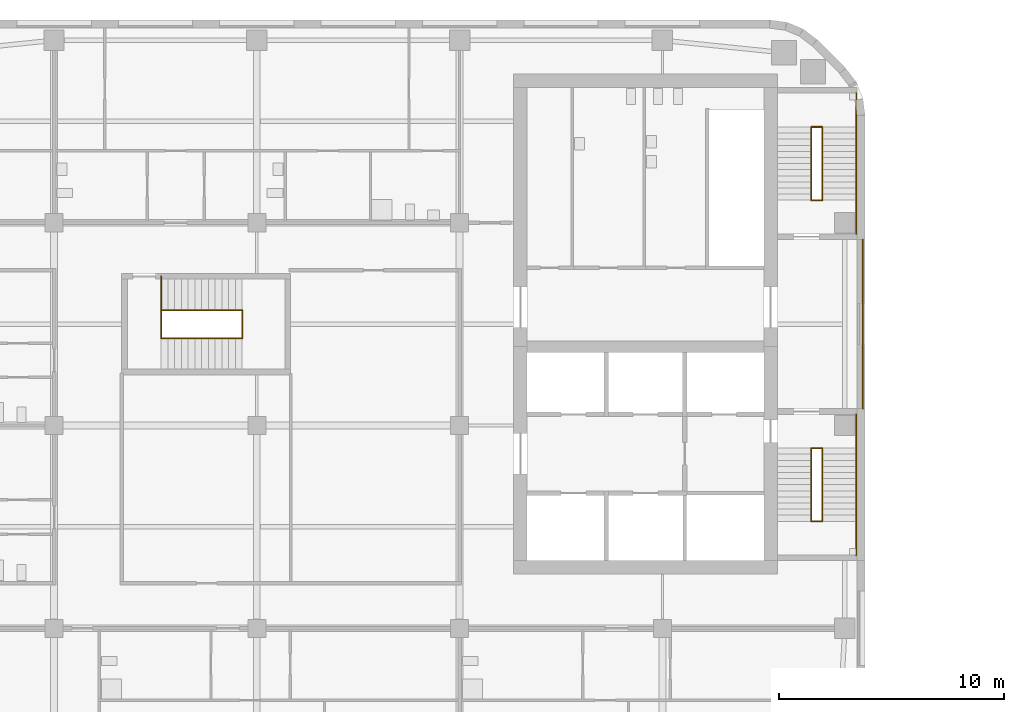
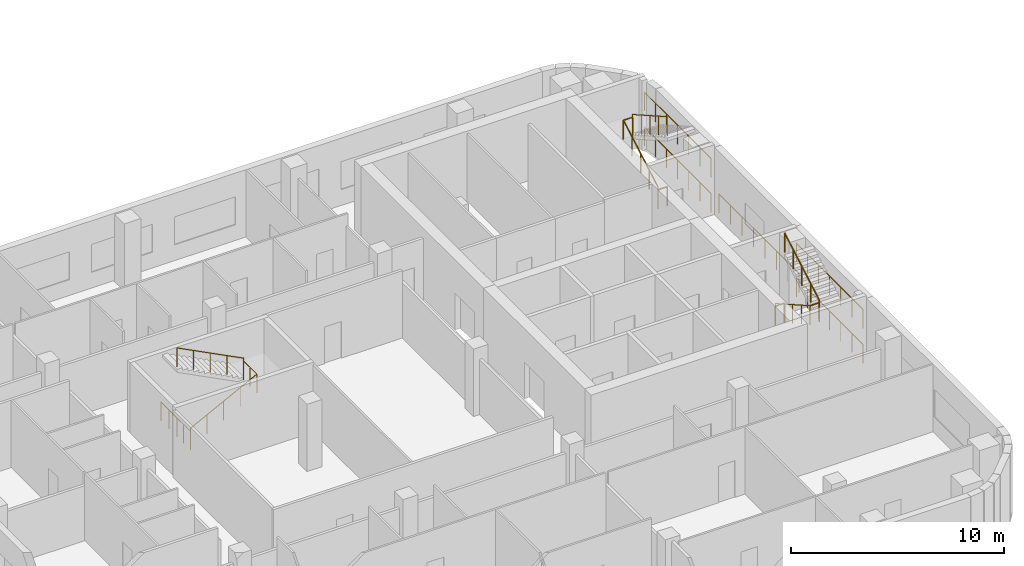
# One storey, part 14 of 16: 18 railings.
"""IFC4 building model written with IfcOpenShell, lengths in metres."""

from ifc_helpers import new_model, si_unit, direction, frame, origin, origin_2d, place, context, subcontext, project, spatial, circle, extrude, material, type_object, element, save


model = new_model("IFC4")

# Units and contexts
model_context = context("Model", 3, precision=1e-05, world=origin(), true_north=direction((0.0, 1.0)))
body_context = subcontext(model_context, "Body", "Model", "MODEL_VIEW")
ifc_project = project(units=[si_unit("LENGTHUNIT", "METRE"), si_unit("AREAUNIT", "SQUARE_METRE"), si_unit("VOLUMEUNIT", "CUBIC_METRE"), si_unit("PLANEANGLEUNIT", "RADIAN"), si_unit("MASSUNIT", "GRAM", prefix="KILO")], contexts=[model_context])

# Site, building, storey
site_placement = place(None, origin())
site = spatial("IfcSite", under=ifc_project, at=site_placement, CompositionType="ELEMENT")
building_placement = place(site_placement, origin())
building = spatial("IfcBuilding", under=site, at=building_placement, Name="Cinnabar Reach Civic Tower", CompositionType="ELEMENT")
storey_placement = place(building_placement, frame((0.0, 0.0, 38.0)))
storey = spatial("IfcBuildingStorey", under=building, at=storey_placement, Name="L08", CompositionType="ELEMENT", Elevation=38.0)

# Railings
ifc_material = material(Name="Stainless steel", Category="steel")
railing_type = type_object("IfcRailingType", Name="T2 Stair guard 1100", PredefinedType="GUARDRAIL", material=ifc_material)
railing_1_placement = place(storey_placement, frame((-27.1, 27.75, 0.0)))
element("IfcRailing", 1, at=railing_1_placement, inside=storey, type_object=railing_type, Name="Corridor end guard", PredefinedType="GUARDRAIL", context=body_context, shape_type="SweptSolid", body=[
    extrude(circle(Radius=0.024, at=origin_2d()), frame((0.0, 0.0, 1.076), z_axis=(0.0, 1.0, 0.0), x_axis=(-1.0, 0.0, 0.0)), (0.0, 0.0, 1.0), 7.5),
    extrude(circle(Radius=0.021, at=origin_2d()), origin(), (0.0, 0.0, 1.0), 1.052),
    extrude(circle(Radius=0.021, at=origin_2d()), frame((0.0, 1.0714, 0.0)), (0.0, 0.0, 1.0), 1.052),
    extrude(circle(Radius=0.021, at=origin_2d()), frame((0.0, 2.1429, 0.0)), (0.0, 0.0, 1.0), 1.052),
    extrude(circle(Radius=0.021, at=origin_2d()), frame((0.0, 3.2143, 0.0)), (0.0, 0.0, 1.0), 1.052),
    extrude(circle(Radius=0.021, at=origin_2d()), frame((0.0, 4.2857, 0.0)), (0.0, 0.0, 1.0), 1.052),
    extrude(circle(Radius=0.021, at=origin_2d()), frame((0.0, 5.3571, 0.0)), (0.0, 0.0, 1.0), 1.052),
    extrude(circle(Radius=0.021, at=origin_2d()), frame((0.0, 6.4286, 0.0)), (0.0, 0.0, 1.0), 1.052),
    extrude(circle(Radius=0.021, at=origin_2d()), frame((0.0, 7.5, 0.0)), (0.0, 0.0, 1.0), 1.052),
])
for number, where, name in (
    (2, (-27.4, 21.25, 0.0), "Stair guard 1"),
    (3, (-27.4, 21.25, 2.0), "Stair guard 1"),
):
    element("IfcRailing", number, at=place(storey_placement, frame(where)), inside=storey, type_object=railing_type, Name=name, PredefinedType="GUARDRAIL", context=body_context, shape_type="SweptSolid", body=[
        extrude(circle(Radius=0.024, at=origin_2d()), frame((0.0, 0.0, 1.076), z_axis=(0.0, 1.0, 0.0), x_axis=(-1.0, 0.0, 0.0)), (0.0, 0.0, 1.0), 6.25),
        extrude(circle(Radius=0.021, at=origin_2d()), origin(), (0.0, 0.0, 1.0), 1.052),
        extrude(circle(Radius=0.021, at=origin_2d()), frame((0.0, 1.0417, 0.0)), (0.0, 0.0, 1.0), 1.052),
        extrude(circle(Radius=0.021, at=origin_2d()), frame((0.0, 2.0833, 0.0)), (0.0, 0.0, 1.0), 1.052),
        extrude(circle(Radius=0.021, at=origin_2d()), frame((0.0, 3.125, 0.0)), (0.0, 0.0, 1.0), 1.052),
        extrude(circle(Radius=0.021, at=origin_2d()), frame((0.0, 4.1667, 0.0)), (0.0, 0.0, 1.0), 1.052),
        extrude(circle(Radius=0.021, at=origin_2d()), frame((0.0, 5.2083, 0.0)), (0.0, 0.0, 1.0), 1.052),
        extrude(circle(Radius=0.021, at=origin_2d()), frame((0.0, 6.25, 0.0)), (0.0, 0.0, 1.0), 1.052),
    ])
for number, where, name in (
    (4, (-29.4, 26.0, 0.0), "Stair guard 1"),
    (5, (-29.4, 22.75, 2.0), "Stair guard 1"),
):
    element("IfcRailing", number, at=place(storey_placement, frame(where)), inside=storey, type_object=railing_type, Name=name, PredefinedType="GUARDRAIL", context=body_context, shape_type="SweptSolid", body=[
        extrude(circle(Radius=0.024, at=origin_2d()), frame((0.0, 0.0, 1.076), z_axis=(1.0, 0.0, 0.0), x_axis=(0.0, 1.0, 0.0)), (0.0, 0.0, 1.0), 0.5),
        extrude(circle(Radius=0.021, at=origin_2d()), origin(), (0.0, 0.0, 1.0), 1.052),
        extrude(circle(Radius=0.021, at=origin_2d()), frame((0.5, 0.0, 0.0)), (0.0, 0.0, 1.0), 1.052),
    ])
railing_2_placement = place(storey_placement, frame((-29.4, 26.0, 0.1538)))
element("IfcRailing", 6, at=railing_2_placement, inside=storey, type_object=railing_type, Name="Stair guard 1", PredefinedType="GUARDRAIL", context=body_context, shape_type="SweptSolid", body=[
    extrude(circle(Radius=0.024, at=origin_2d()), frame((0.0, 0.0, 1.076), z_axis=(0.0, -0.869501474428, 0.493930345258), x_axis=(1.0, 0.0, 0.0)), (0.0, 0.0, 1.0), 3.7378),
    extrude(circle(Radius=0.021, at=origin_2d()), origin(), (0.0, 0.0, 1.0), 1.052),
    extrude(circle(Radius=0.021, at=origin_2d()), frame((0.0, -0.8125, 0.4616)), (0.0, 0.0, 1.0), 1.052),
    extrude(circle(Radius=0.021, at=origin_2d()), frame((0.0, -1.625, 0.9231)), (0.0, 0.0, 1.0), 1.052),
    extrude(circle(Radius=0.021, at=origin_2d()), frame((0.0, -2.4375, 1.3847)), (0.0, 0.0, 1.0), 1.052),
    extrude(circle(Radius=0.021, at=origin_2d()), frame((0.0, -3.25, 1.8462)), (0.0, 0.0, 1.0), 1.052),
])
railing_3_placement = place(storey_placement, frame((-28.9, 22.75, 2.1538)))
element("IfcRailing", 7, at=railing_3_placement, inside=storey, type_object=railing_type, Name="Stair guard 1", PredefinedType="GUARDRAIL", context=body_context, shape_type="SweptSolid", body=[
    extrude(circle(Radius=0.024, at=origin_2d()), frame((0.0, 0.0, 1.076), z_axis=(0.0, 0.869501474428, 0.493930345258), x_axis=(-1.0, 0.0, 0.0)), (0.0, 0.0, 1.0), 3.7378),
    extrude(circle(Radius=0.021, at=origin_2d()), origin(), (0.0, 0.0, 1.0), 1.052),
    extrude(circle(Radius=0.021, at=origin_2d()), frame((0.0, 0.8125, 0.4616)), (0.0, 0.0, 1.0), 1.052),
    extrude(circle(Radius=0.021, at=origin_2d()), frame((0.0, 1.625, 0.9231)), (0.0, 0.0, 1.0), 1.052),
    extrude(circle(Radius=0.021, at=origin_2d()), frame((0.0, 2.4375, 1.3847)), (0.0, 0.0, 1.0), 1.052),
    extrude(circle(Radius=0.021, at=origin_2d()), frame((0.0, 3.25, 1.8462)), (0.0, 0.0, 1.0), 1.052),
])
for number, where, name in (
    (8, (-27.4, 35.5, 0.0), "Stair guard 2"),
    (9, (-27.4, 35.5, 2.0), "Stair guard 2"),
):
    element("IfcRailing", number, at=place(storey_placement, frame(where)), inside=storey, type_object=railing_type, Name=name, PredefinedType="GUARDRAIL", context=body_context, shape_type="SweptSolid", body=[
        extrude(circle(Radius=0.024, at=origin_2d()), frame((0.0, 0.0, 1.076), z_axis=(0.0, 1.0, 0.0), x_axis=(-1.0, 0.0, 0.0)), (0.0, 0.0, 1.0), 6.25),
        extrude(circle(Radius=0.021, at=origin_2d()), origin(), (0.0, 0.0, 1.0), 1.052),
        extrude(circle(Radius=0.021, at=origin_2d()), frame((0.0, 1.0417, 0.0)), (0.0, 0.0, 1.0), 1.052),
        extrude(circle(Radius=0.021, at=origin_2d()), frame((0.0, 2.0833, 0.0)), (0.0, 0.0, 1.0), 1.052),
        extrude(circle(Radius=0.021, at=origin_2d()), frame((0.0, 3.125, 0.0)), (0.0, 0.0, 1.0), 1.052),
        extrude(circle(Radius=0.021, at=origin_2d()), frame((0.0, 4.1667, 0.0)), (0.0, 0.0, 1.0), 1.052),
        extrude(circle(Radius=0.021, at=origin_2d()), frame((0.0, 5.2083, 0.0)), (0.0, 0.0, 1.0), 1.052),
        extrude(circle(Radius=0.021, at=origin_2d()), frame((0.0, 6.25, 0.0)), (0.0, 0.0, 1.0), 1.052),
    ])
for number, where, name in (
    (10, (-29.4, 37.0, 0.0), "Stair guard 2"),
    (11, (-29.4, 40.25, 2.0), "Stair guard 2"),
):
    element("IfcRailing", number, at=place(storey_placement, frame(where)), inside=storey, type_object=railing_type, Name=name, PredefinedType="GUARDRAIL", context=body_context, shape_type="SweptSolid", body=[
        extrude(circle(Radius=0.024, at=origin_2d()), frame((0.0, 0.0, 1.076), z_axis=(1.0, 0.0, 0.0), x_axis=(0.0, 1.0, 0.0)), (0.0, 0.0, 1.0), 0.5),
        extrude(circle(Radius=0.021, at=origin_2d()), origin(), (0.0, 0.0, 1.0), 1.052),
        extrude(circle(Radius=0.021, at=origin_2d()), frame((0.5, 0.0, 0.0)), (0.0, 0.0, 1.0), 1.052),
    ])
railing_4_placement = place(storey_placement, frame((-29.4, 37.0, 0.1538)))
element("IfcRailing", 12, at=railing_4_placement, inside=storey, type_object=railing_type, Name="Stair guard 2", PredefinedType="GUARDRAIL", context=body_context, shape_type="SweptSolid", body=[
    extrude(circle(Radius=0.024, at=origin_2d()), frame((0.0, 0.0, 1.076), z_axis=(0.0, 0.869501474428, 0.493930345258), x_axis=(-1.0, 0.0, 0.0)), (0.0, 0.0, 1.0), 3.7378),
    extrude(circle(Radius=0.021, at=origin_2d()), origin(), (0.0, 0.0, 1.0), 1.052),
    extrude(circle(Radius=0.021, at=origin_2d()), frame((0.0, 0.8125, 0.4616)), (0.0, 0.0, 1.0), 1.052),
    extrude(circle(Radius=0.021, at=origin_2d()), frame((0.0, 1.625, 0.9231)), (0.0, 0.0, 1.0), 1.052),
    extrude(circle(Radius=0.021, at=origin_2d()), frame((0.0, 2.4375, 1.3847)), (0.0, 0.0, 1.0), 1.052),
    extrude(circle(Radius=0.021, at=origin_2d()), frame((0.0, 3.25, 1.8462)), (0.0, 0.0, 1.0), 1.052),
])
railing_5_placement = place(storey_placement, frame((-28.9, 40.25, 2.1538)))
element("IfcRailing", 13, at=railing_5_placement, inside=storey, type_object=railing_type, Name="Stair guard 2", PredefinedType="GUARDRAIL", context=body_context, shape_type="SweptSolid", body=[
    extrude(circle(Radius=0.024, at=origin_2d()), frame((0.0, 0.0, 1.076), z_axis=(0.0, -0.869501474428, 0.493930345258), x_axis=(1.0, 0.0, 0.0)), (0.0, 0.0, 1.0), 3.7378),
    extrude(circle(Radius=0.021, at=origin_2d()), origin(), (0.0, 0.0, 1.0), 1.052),
    extrude(circle(Radius=0.021, at=origin_2d()), frame((0.0, -0.8125, 0.4616)), (0.0, 0.0, 1.0), 1.052),
    extrude(circle(Radius=0.021, at=origin_2d()), frame((0.0, -1.625, 0.9231)), (0.0, 0.0, 1.0), 1.052),
    extrude(circle(Radius=0.021, at=origin_2d()), frame((0.0, -2.4375, 1.3847)), (0.0, 0.0, 1.0), 1.052),
    extrude(circle(Radius=0.021, at=origin_2d()), frame((0.0, -3.25, 1.8462)), (0.0, 0.0, 1.0), 1.052),
])
railing_6_placement = place(storey_placement, frame((-58.25, 30.875, 0.0)))
element("IfcRailing", 14, at=railing_6_placement, inside=storey, type_object=railing_type, Name="Stair guard 3", PredefinedType="GUARDRAIL", context=body_context, shape_type="SweptSolid", body=[
    extrude(circle(Radius=0.024, at=origin_2d()), frame((0.0, 0.0, 1.076), z_axis=(0.0, 1.0, 0.0), x_axis=(-1.0, 0.0, 0.0)), (0.0, 0.0, 1.0), 1.25),
    extrude(circle(Radius=0.021, at=origin_2d()), origin(), (0.0, 0.0, 1.0), 1.052),
    extrude(circle(Radius=0.021, at=origin_2d()), frame((0.0, 0.625, 0.0)), (0.0, 0.0, 1.0), 1.052),
    extrude(circle(Radius=0.021, at=origin_2d()), frame((0.0, 1.25, 0.0)), (0.0, 0.0, 1.0), 1.052),
])
railing_7_placement = place(storey_placement, frame((-58.25, 32.125, 0.0)))
element("IfcRailing", 15, at=railing_7_placement, inside=storey, type_object=railing_type, Name="Stair guard 3", PredefinedType="GUARDRAIL", context=body_context, shape_type="SweptSolid", body=[
    extrude(circle(Radius=0.024, at=origin_2d()), frame((0.0, 0.0, 1.076), z_axis=(0.0, 1.0, 0.0), x_axis=(-1.0, 0.0, 0.0)), (0.0, 0.0, 1.0), 1.5),
    extrude(circle(Radius=0.021, at=origin_2d()), origin(), (0.0, 0.0, 1.0), 1.052),
    extrude(circle(Radius=0.021, at=origin_2d()), frame((0.0, 0.75, 0.0)), (0.0, 0.0, 1.0), 1.052),
    extrude(circle(Radius=0.021, at=origin_2d()), frame((0.0, 1.5, 0.0)), (0.0, 0.0, 1.0), 1.052),
])
railing_8_placement = place(storey_placement, frame((-54.65, 30.875, 2.0)))
element("IfcRailing", 16, at=railing_8_placement, inside=storey, type_object=railing_type, Name="Stair guard 3", PredefinedType="GUARDRAIL", context=body_context, shape_type="SweptSolid", body=[
    extrude(circle(Radius=0.024, at=origin_2d()), frame((0.0, 0.0, 1.076), z_axis=(0.0, 1.0, 0.0), x_axis=(-1.0, 0.0, 0.0)), (0.0, 0.0, 1.0), 1.25),
    extrude(circle(Radius=0.021, at=origin_2d()), origin(), (0.0, 0.0, 1.0), 1.052),
    extrude(circle(Radius=0.021, at=origin_2d()), frame((0.0, 0.625, 0.0)), (0.0, 0.0, 1.0), 1.052),
    extrude(circle(Radius=0.021, at=origin_2d()), frame((0.0, 1.25, 0.0)), (0.0, 0.0, 1.0), 1.052),
])
railing_9_placement = place(storey_placement, frame((-58.25, 30.875, 0.1538)))
element("IfcRailing", 17, at=railing_9_placement, inside=storey, type_object=railing_type, Name="Stair guard 3", PredefinedType="GUARDRAIL", context=body_context, shape_type="SweptSolid", body=[
    extrude(circle(Radius=0.024, at=origin_2d()), frame((0.0, 0.0, 1.076), z_axis=(0.889812830738, 0.0, 0.45632568003), x_axis=(0.0, 1.0, 0.0)), (0.0, 0.0, 1.0), 4.0458),
    extrude(circle(Radius=0.021, at=origin_2d()), origin(), (0.0, 0.0, 1.0), 1.052),
    extrude(circle(Radius=0.021, at=origin_2d()), frame((0.9, 0.0, 0.4616)), (0.0, 0.0, 1.0), 1.052),
    extrude(circle(Radius=0.021, at=origin_2d()), frame((1.8, 0.0, 0.9231)), (0.0, 0.0, 1.0), 1.052),
    extrude(circle(Radius=0.021, at=origin_2d()), frame((2.7, 0.0, 1.3847)), (0.0, 0.0, 1.0), 1.052),
    extrude(circle(Radius=0.021, at=origin_2d()), frame((3.6, 0.0, 1.8462)), (0.0, 0.0, 1.0), 1.052),
])
railing_10_placement = place(storey_placement, frame((-54.65, 32.125, 2.1538)))
element("IfcRailing", 18, at=railing_10_placement, inside=storey, type_object=railing_type, Name="Stair guard 3", PredefinedType="GUARDRAIL", context=body_context, shape_type="SweptSolid", body=[
    extrude(circle(Radius=0.024, at=origin_2d()), frame((0.0, 0.0, 1.076), z_axis=(-0.889812830738, 0.0, 0.45632568003), x_axis=(0.0, -1.0, 0.0)), (0.0, 0.0, 1.0), 4.0458),
    extrude(circle(Radius=0.021, at=origin_2d()), origin(), (0.0, 0.0, 1.0), 1.052),
    extrude(circle(Radius=0.021, at=origin_2d()), frame((-0.9, 0.0, 0.4616)), (0.0, 0.0, 1.0), 1.052),
    extrude(circle(Radius=0.021, at=origin_2d()), frame((-1.8, 0.0, 0.9231)), (0.0, 0.0, 1.0), 1.052),
    extrude(circle(Radius=0.021, at=origin_2d()), frame((-2.7, 0.0, 1.3847)), (0.0, 0.0, 1.0), 1.052),
    extrude(circle(Radius=0.021, at=origin_2d()), frame((-3.6, 0.0, 1.8462)), (0.0, 0.0, 1.0), 1.052),
])

save(model, "model.ifc")
